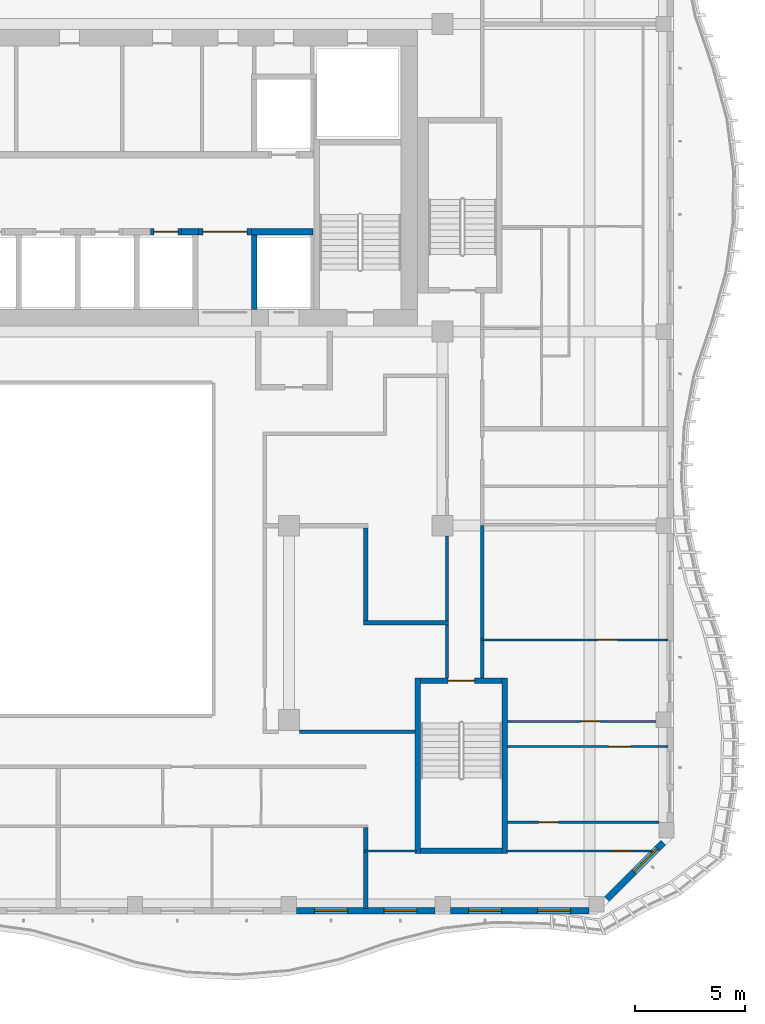
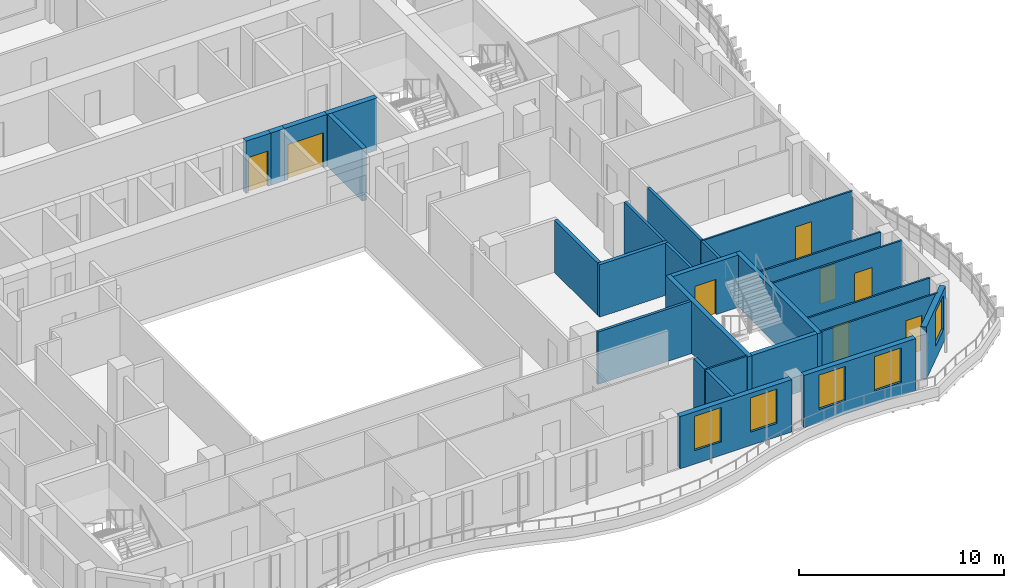
# One storey, part 5 of 19: 27 walls, 8 doors, 5 windows, 13 openings.
"""IFC4 building model written with IfcOpenShell, lengths in metres."""

from ifc_helpers import new_model, si_unit, direction, frame, frame_2d, origin, place, context, subcontext, project, spatial, rectangle, extrude, source, transform, mapped, material, layer, layer_set, type_object, element, fill, save


model = new_model("IFC4")

# Units and contexts
model_context = context("Model", 3, precision=1e-05, world=origin(), true_north=direction((0.0, 1.0)))
body_context = subcontext(model_context, "Body", "Model", "MODEL_VIEW")
ifc_project = project(units=[si_unit("LENGTHUNIT", "METRE"), si_unit("AREAUNIT", "SQUARE_METRE"), si_unit("VOLUMEUNIT", "CUBIC_METRE"), si_unit("PLANEANGLEUNIT", "RADIAN"), si_unit("MASSUNIT", "GRAM", prefix="KILO")], contexts=[model_context])

# Site, building, storey
site_placement = place(None, origin())
site = spatial("IfcSite", under=ifc_project, at=site_placement, CompositionType="ELEMENT")
building_placement = place(site_placement, origin())
building = spatial("IfcBuilding", under=site, at=building_placement, Name="Kilnfold Tower and Market Hall", CompositionType="ELEMENT")
storey_placement = place(building_placement, frame((0.0, 0.0, 252.60009765625)))
storey = spatial("IfcBuildingStorey", under=building, at=storey_placement, Name="L61", CompositionType="ELEMENT", Elevation=252.60009765625)

# Walls
ifc_material_1 = material(Name="Gypsum board on steel studs", Category="steel")
ifc_layer_1 = layer(ifc_material_1, 0.14990234375)
ifc_layer_set_1 = layer_set([ifc_layer_1], Name="Gypsum board on steel studs")
wall_type_1 = type_object("IfcWallType", Name="WALL CORRIDOR 150", PredefinedType="PARTITIONING", material=ifc_layer_set_1)
wall_1_placement = place(storey_placement, frame((20.800048828125, -7.75, 0.0), z_axis=(0.0, 0.0, 1.0), x_axis=(0.0, 1.0, 0.0)))
element("IfcWall", 1, at=wall_1_placement, inside=storey, type_object=wall_type_1, Name="Partition LY37.12", PredefinedType="PARTITIONING", context=body_context, shape_type="SweptSolid", body=[
    extrude(rectangle(XDim=1.68603515625, YDim=0.14990234375, at=frame_2d((0.843017578125, 0.0))), origin(), (0.0, 0.0, 1.0), 3.119873046875),
])
wall_2_placement = place(storey_placement, frame((20.800048828125, -5.98388671875, 0.0), z_axis=(0.0, 0.0, 1.0), x_axis=(0.0, 1.0, 0.0)))
element("IfcWall", 2, at=wall_2_placement, inside=storey, type_object=wall_type_1, Name="Partition LY37.13", PredefinedType="PARTITIONING", context=body_context, shape_type="SweptSolid", body=[
    extrude(rectangle(XDim=5.159912109375, YDim=0.14990234375, at=frame_2d((2.580078125, 0.0))), origin(), (0.0, 0.0, 1.0), 3.119873046875),
])
wall_3_placement = place(storey_placement, frame((19.199951171875, -7.75, 0.0), z_axis=(0.0, 0.0, 1.0), x_axis=(0.0, 1.0, 0.0)))
element("IfcWall", 3, at=wall_3_placement, inside=storey, type_object=wall_type_1, Name="Partition LY37.40", PredefinedType="PARTITIONING", context=body_context, shape_type="SweptSolid", body=[
    extrude(rectangle(XDim=2.409912109375, YDim=0.14990234375, at=frame_2d((1.205078125, 0.0))), origin(), (0.0, 0.0, 1.0), 3.119873046875),
])
wall_4_placement = place(storey_placement, frame((12.47509765625, -10.199951171875, 0.0), z_axis=(0.0, 0.0, 1.0), x_axis=(1.0, 0.0, 0.0)))
element("IfcWall", 4, at=wall_4_placement, inside=storey, type_object=wall_type_1, Name="Partition LY37.42", PredefinedType="PARTITIONING", context=body_context, shape_type="SweptSolid", body=[
    extrude(rectangle(XDim=5.27490234375, YDim=0.14990234375, at=frame_2d((2.637451171875, 0.0))), origin(), (0.0, 0.0, 1.0), 3.119873046875),
])
wall_5_placement = place(storey_placement, frame((19.199951171875, -5.159912109375, 0.0), z_axis=(0.0, 0.0, 1.0), x_axis=(0.0, 1.0, 0.0)))
element("IfcWall", 5, at=wall_5_placement, inside=storey, type_object=wall_type_1, Name="Partition LY37.44", PredefinedType="PARTITIONING", context=body_context, shape_type="SweptSolid", body=[
    extrude(rectangle(XDim=3.851806640625, YDim=0.14990234375, at=frame_2d((1.92578125, 0.0))), origin(), (0.0, 0.0, 1.0), 3.119873046875),
])

# Wall, opening, door
ifc_material_2 = material(Name="Gypsum board on steel studs", Category="steel")
ifc_layer_2 = layer(ifc_material_2, 0.10009765625)
ifc_layer_set_2 = layer_set([ifc_layer_2], Name="Gypsum board on steel studs")
wall_type_2 = type_object("IfcWallType", Name="WALL PARTITION 100", PredefinedType="PARTITIONING", material=ifc_layer_set_2)
wall_6_placement = place(storey_placement, frame((21.89990234375, -15.6298828125, 0.0), z_axis=(0.0, 0.0, 1.0), x_axis=(1.0, 0.0, 0.0)))
wall_6 = element("IfcWall", 6, at=wall_6_placement, inside=storey, type_object=wall_type_2, Name="Partition LY37.70", PredefinedType="PARTITIONING", context=body_context, shape_type="SweptSolid", body=[
    extrude(rectangle(XDim=6.6162109375, YDim=0.10009765625, at=frame_2d((3.30810546875, 0.0))), origin(), (0.0, 0.0, 1.0), 3.119873046875),
])
opening_1_placement = place(wall_6_placement, frame((4.81396484375, 0.0, 0.0)))
opening_1 = element("IfcOpeningElement", 7, at=opening_1_placement, cuts=wall_6, Name="Opening D2", PredefinedType="OPENING", context=body_context, shape_type="SweptSolid", body=[
    extrude(rectangle(XDim=0.89990234375, YDim=2.10009765625, at=frame_2d((0.449951171875, 1.050048828125))), frame((0.0, 0.06005859375, 0.0), z_axis=(0.0, -1.0, 0.0), x_axis=(1.0, 0.0, 0.0)), (0.0, 0.0, 1.0), 0.1201171875),
])
ifc_material_3 = material(Name="Timber veneer door leaf in steel frame", Category="steel")
door_type_1 = type_object("IfcDoorType", Name="DOOR ROOM 900 X2100", OperationType="NOTDEFINED", PredefinedType="DOOR", material=ifc_material_3)
door_1_placement = place(opening_1_placement, origin())
door_1 = element("IfcDoor", 8, at=door_1_placement, inside=storey, type_object=door_type_1, Name="Door D2", OperationType="SINGLE_SWING_LEFT", OverallHeight=2.10009765625, OverallWidth=0.89990234375, PredefinedType="DOOR", context=body_context, shape_type="SweptSolid", body=[
    extrude(rectangle(XDim=0.89990234375, YDim=2.10009765625, at=frame_2d((0.449951171875, 1.050048828125))), frame((0.0, 0.02490234375, 0.0), z_axis=(0.0, -1.0, 0.0), x_axis=(1.0, 0.0, 0.0)), (0.0, 0.0, 1.0), 0.050048828125),
])
fill(opening_1, door_1)

# Wall
wall_7_placement = place(storey_placement, frame((15.39990234375, -15.6298828125, 0.0), z_axis=(0.0, 0.0, 1.0), x_axis=(1.0, 0.0, 0.0)))
element("IfcWall", 9, at=wall_7_placement, inside=storey, type_object=wall_type_2, Name="Partition LY37.71", PredefinedType="PARTITIONING", context=body_context, shape_type="SweptSolid", body=[
    extrude(rectangle(XDim=2.400146484375, YDim=0.10009765625, at=frame_2d((1.2001953125, 0.0))), origin(), (0.0, 0.0, 1.0), 3.119873046875),
])

# Wall, opening, door
wall_8_placement = place(storey_placement, frame((28.83203125, -14.320068359375, 0.0), z_axis=(0.0, 0.0, 1.0), x_axis=(-1.0, 0.0, 0.0)))
wall_8 = element("IfcWall", 10, at=wall_8_placement, inside=storey, type_object=wall_type_2, Name="Partition LY37.72", PredefinedType="PARTITIONING", context=body_context, shape_type="SweptSolid", body=[
    extrude(rectangle(XDim=6.882080078125, YDim=0.10009765625, at=frame_2d((3.44091796875, 0.0))), origin(), (0.0, 0.0, 1.0), 3.119873046875),
])
opening_2_placement = place(wall_8_placement, frame((4.56396484375, 0.0, 0.0)))
opening_2 = element("IfcOpeningElement", 11, at=opening_2_placement, cuts=wall_8, Name="Opening D2", PredefinedType="OPENING", context=body_context, shape_type="SweptSolid", body=[
    extrude(rectangle(XDim=0.89990234375, YDim=2.10009765625, at=frame_2d((0.449951171875, 1.050048828125))), frame((0.0, 0.06005859375, 0.0), z_axis=(0.0, -1.0, 0.0), x_axis=(1.0, 0.0, 0.0)), (0.0, 0.0, 1.0), 0.1201171875),
])
door_2_placement = place(opening_2_placement, origin())
door_2 = element("IfcDoor", 12, at=door_2_placement, inside=storey, type_object=door_type_1, Name="Door D2", OperationType="SINGLE_SWING_LEFT", OverallHeight=2.10009765625, OverallWidth=0.89990234375, PredefinedType="DOOR", context=body_context, shape_type="SweptSolid", body=[
    extrude(rectangle(XDim=0.89990234375, YDim=2.10009765625, at=frame_2d((0.449951171875, 1.050048828125))), frame((0.0, 0.02490234375, 0.0), z_axis=(0.0, -1.0, 0.0), x_axis=(1.0, 0.0, 0.0)), (0.0, 0.0, 1.0), 0.050048828125),
])
fill(opening_2, door_2)

wall_9_placement = place(storey_placement, frame((29.25, -10.882080078125, 0.0), z_axis=(0.0, 0.0, 1.0), x_axis=(-1.0, 0.0, 0.0)))
wall_9 = element("IfcWall", 13, at=wall_9_placement, inside=storey, type_object=wall_type_2, Name="Partition LY37.73", PredefinedType="PARTITIONING", context=body_context, shape_type="SweptSolid", body=[
    extrude(rectangle(XDim=7.300048828125, YDim=0.10009765625, at=frame_2d((3.64990234375, 0.0))), origin(), (0.0, 0.0, 1.0), 3.119873046875),
])
opening_3_placement = place(wall_9_placement, frame((1.699951171875, 0.0, 0.0)))
opening_3 = element("IfcOpeningElement", 14, at=opening_3_placement, cuts=wall_9, Name="Opening D1", PredefinedType="OPENING", context=body_context, shape_type="SweptSolid", body=[
    extrude(rectangle(XDim=1.0, YDim=2.10009765625, at=frame_2d((0.5, 1.050048828125))), frame((0.0, 0.06005859375, 0.0), z_axis=(0.0, -1.0, 0.0), x_axis=(1.0, 0.0, 0.0)), (0.0, 0.0, 1.0), 0.1201171875),
])
ifc_material_4 = material(Name="Timber veneer door leaf in steel frame", Category="steel")
door_type_2 = type_object("IfcDoorType", Name="DOOR ENTRY 1000 X2100", OperationType="NOTDEFINED", PredefinedType="DOOR", material=ifc_material_4)
door_3_placement = place(opening_3_placement, origin())
door_3 = element("IfcDoor", 15, at=door_3_placement, inside=storey, type_object=door_type_2, Name="Door D1", OperationType="SINGLE_SWING_LEFT", OverallHeight=2.10009765625, OverallWidth=1.0, PredefinedType="DOOR", context=body_context, shape_type="SweptSolid", body=[
    extrude(rectangle(XDim=1.0, YDim=2.10009765625, at=frame_2d((0.5, 1.050048828125))), frame((0.0, 0.02490234375, 0.0), z_axis=(0.0, -1.0, 0.0), x_axis=(1.0, 0.0, 0.0)), (0.0, 0.0, 1.0), 0.050048828125),
])
fill(opening_3, door_3)

wall_10_placement = place(storey_placement, frame((28.699951171875, -9.735107421875, 0.0), z_axis=(0.0, 0.0, 1.0), x_axis=(-1.0, 0.0, 0.0)))
wall_10 = element("IfcWall", 16, at=wall_10_placement, inside=storey, type_object=wall_type_2, Name="Partition LY37.74", PredefinedType="PARTITIONING", context=body_context, shape_type="SweptSolid", body=[
    extrude(rectangle(XDim=6.75, YDim=0.10009765625, at=frame_2d((3.375, 0.0))), origin(), (0.0, 0.0, 1.0), 3.119873046875),
])
opening_4_placement = place(wall_10_placement, frame((2.52099609375, 0.0, 0.0)))
opening_4 = element("IfcOpeningElement", 17, at=opening_4_placement, cuts=wall_10, Name="Opening D2", PredefinedType="OPENING", context=body_context, shape_type="SweptSolid", body=[
    extrude(rectangle(XDim=0.89990234375, YDim=2.10009765625, at=frame_2d((0.449951171875, 1.050048828125))), frame((0.0, 0.06005859375, 0.0), z_axis=(0.0, -1.0, 0.0), x_axis=(1.0, 0.0, 0.0)), (0.0, 0.0, 1.0), 0.1201171875),
])
door_4_placement = place(opening_4_placement, origin())
door_4 = element("IfcDoor", 18, at=door_4_placement, inside=storey, type_object=door_type_1, Name="Door D2", OperationType="SINGLE_SWING_LEFT", OverallHeight=2.10009765625, OverallWidth=0.89990234375, PredefinedType="DOOR", context=body_context, shape_type="SweptSolid", body=[
    extrude(rectangle(XDim=0.89990234375, YDim=2.10009765625, at=frame_2d((0.449951171875, 1.050048828125))), frame((0.0, 0.02490234375, 0.0), z_axis=(0.0, -1.0, 0.0), x_axis=(1.0, 0.0, 0.0)), (0.0, 0.0, 1.0), 0.050048828125),
])
fill(opening_4, door_4)

wall_11_placement = place(storey_placement, frame((29.25, -6.02392578125, 0.0), z_axis=(0.0, 0.0, 1.0), x_axis=(-1.0, 0.0, 0.0)))
wall_11 = element("IfcWall", 19, at=wall_11_placement, inside=storey, type_object=wall_type_2, Name="Partition LY37.75", PredefinedType="PARTITIONING", context=body_context, shape_type="SweptSolid", body=[
    extrude(rectangle(XDim=8.52294921875, YDim=0.10009765625, at=frame_2d((4.261474609375, 0.0))), origin(), (0.0, 0.0, 1.0), 3.119873046875),
])
opening_5_placement = place(wall_11_placement, frame((2.306884765625, 0.0, 0.0)))
opening_5 = element("IfcOpeningElement", 20, at=opening_5_placement, cuts=wall_11, Name="Opening D2", PredefinedType="OPENING", context=body_context, shape_type="SweptSolid", body=[
    extrude(rectangle(XDim=0.89990234375, YDim=2.10009765625, at=frame_2d((0.449951171875, 1.050048828125))), frame((0.0, 0.06005859375, 0.0), z_axis=(0.0, -1.0, 0.0), x_axis=(1.0, 0.0, 0.0)), (0.0, 0.0, 1.0), 0.1201171875),
])
door_5_placement = place(opening_5_placement, origin())
door_5 = element("IfcDoor", 21, at=door_5_placement, inside=storey, type_object=door_type_1, Name="Door D2", OperationType="SINGLE_SWING_LEFT", OverallHeight=2.10009765625, OverallWidth=0.89990234375, PredefinedType="DOOR", context=body_context, shape_type="SweptSolid", body=[
    extrude(rectangle(XDim=0.89990234375, YDim=2.10009765625, at=frame_2d((0.449951171875, 1.050048828125))), frame((0.0, 0.02490234375, 0.0), z_axis=(0.0, -1.0, 0.0), x_axis=(1.0, 0.0, 0.0)), (0.0, 0.0, 1.0), 0.050048828125),
])
fill(opening_5, door_5)

# Walls
ifc_material_5 = material(Name="Gypsum board on steel studs", Category="steel")
ifc_layer_3 = layer(ifc_material_5, 0.199951171875)
ifc_layer_set_3 = layer_set([ifc_layer_3], Name="Gypsum board on steel studs")
wall_type_3 = type_object("IfcWallType", Name="WALL PARTY 200", PredefinedType="PARTITIONING", material=ifc_layer_set_3)
wall_12_placement = place(storey_placement, frame((15.5, -18.25, 0.0), z_axis=(0.0, 0.0, 1.0), x_axis=(0.0, 1.0, 0.0)))
element("IfcWall", 22, at=wall_12_placement, inside=storey, type_object=wall_type_3, Name="Partition LY37.68", PredefinedType="PARTITIONING", context=body_context, shape_type="SweptSolid", body=[
    extrude(rectangle(XDim=2.580078125, YDim=0.199951171875, at=frame_2d((1.2900390625, 0.0))), origin(), (0.0, 0.0, 1.0), 3.119873046875),
])
wall_13_placement = place(storey_placement, frame((15.5, -15.590087890625, 0.0), z_axis=(0.0, 0.0, 1.0), x_axis=(0.0, 1.0, 0.0)))
element("IfcWall", 23, at=wall_13_placement, inside=storey, type_object=wall_type_3, Name="Partition LY37.69", PredefinedType="PARTITIONING", context=body_context, shape_type="SweptSolid", body=[
    extrude(rectangle(XDim=1.0380859375, YDim=0.199951171875, at=frame_2d((0.51904296875, 0.0))), origin(), (0.0, 0.0, 1.0), 3.119873046875),
])
wall_14_placement = place(storey_placement, frame((15.5, -5.14990234375, 0.0), z_axis=(0.0, 0.0, 1.0), x_axis=(0.0, 1.0, 0.0)))
element("IfcWall", 24, at=wall_14_placement, inside=storey, type_object=wall_type_3, Name="Partition LY37.105", PredefinedType="PARTITIONING", context=body_context, shape_type="SweptSolid", body=[
    extrude(rectangle(XDim=4.216796875, YDim=0.199951171875, at=frame_2d((2.1083984375, 0.0))), origin(), (0.0, 0.0, 1.0), 3.119873046875),
])
wall_15_placement = place(storey_placement, frame((15.39990234375, -5.25, 0.0), z_axis=(0.0, 0.0, 1.0), x_axis=(1.0, 0.0, 0.0)))
element("IfcWall", 25, at=wall_15_placement, inside=storey, type_object=wall_type_3, Name="Partition LY37.106", PredefinedType="PARTITIONING", context=body_context, shape_type="SweptSolid", body=[
    extrude(rectangle(XDim=3.873046875, YDim=0.199951171875, at=frame_2d((1.9365234375, 0.0))), origin(), (0.0, 0.0, 1.0), 3.119873046875),
])
ifc_material_6 = material(Name="Concrete C60", Category="concrete")
ifc_layer_4 = layer(ifc_material_6, 0.25)
ifc_layer_set_4 = layer_set([ifc_layer_4], Name="Concrete C60")
wall_type_4 = type_object("IfcWallType", Name="CORE WALL 250 C60", PredefinedType="SHEAR", material=ifc_layer_set_4)
shared_shape_1 = source(origin(), body_context, "Body", "SweptSolid", [
    extrude(rectangle(XDim=3.699951171875, YDim=0.25, at=frame_2d((1.85009765625, 0.0))), origin(), (0.0, 0.0, 1.0), 3.119873046875),
])
wall_16_placement = place(storey_placement, frame((18.0, -15.625, 0.0), z_axis=(0.0, 0.0, 1.0), x_axis=(1.0, 0.0, 0.0)))
element("IfcWall", 26, at=wall_16_placement, inside=storey, type_object=wall_type_4, Name="Stair enclosure ST4", PredefinedType="SHEAR", context=body_context, shape_type="MappedRepresentation", body=[
    mapped(shared_shape_1, transform((0.0, 0.0, 0.0))),
])

# Wall, opening, door
wall_17_placement = place(storey_placement, frame((18.0, -7.875, 0.0), z_axis=(0.0, 0.0, 1.0), x_axis=(1.0, 0.0, 0.0)))
wall_17 = element("IfcWall", 27, at=wall_17_placement, inside=storey, type_object=wall_type_4, Name="Stair enclosure ST4", PredefinedType="SHEAR", context=body_context, shape_type="MappedRepresentation", body=[
    mapped(shared_shape_1, transform((0.0, 0.0, 0.0))),
])
opening_6_placement = place(wall_17_placement, frame((1.25, 0.0, 0.0)))
opening_6 = element("IfcOpeningElement", 28, at=opening_6_placement, cuts=wall_17, Name="Opening SD1", PredefinedType="OPENING", context=body_context, shape_type="SweptSolid", body=[
    extrude(rectangle(XDim=1.199951171875, YDim=2.10009765625, at=frame_2d((0.60009765625, 1.050048828125))), frame((0.0, 0.135009765625, 0.0), z_axis=(0.0, -1.0, 0.0), x_axis=(1.0, 0.0, 0.0)), (0.0, 0.0, 1.0), 0.27001953125),
])
ifc_material_7 = material(Name="Steel door set with fire-resisting leaf", Category="steel")
door_type_3 = type_object("IfcDoorType", Name="STAIR FLOOR DOOR 1200X2100", OperationType="NOTDEFINED", PredefinedType="DOOR", material=ifc_material_7)
door_6_placement = place(opening_6_placement, origin())
door_6 = element("IfcDoor", 29, at=door_6_placement, inside=storey, type_object=door_type_3, Name="Exit stair ST4 door", OperationType="DOUBLE_DOOR_SINGLE_SWING", OverallHeight=2.10009765625, OverallWidth=1.199951171875, PredefinedType="DOOR", context=body_context, shape_type="SweptSolid", body=[
    extrude(rectangle(XDim=1.199951171875, YDim=2.10009765625, at=frame_2d((0.60009765625, 1.050048828125))), frame((0.0, 0.02490234375, 0.0), z_axis=(0.0, -1.0, 0.0), x_axis=(1.0, 0.0, 0.0)), (0.0, 0.0, 1.0), 0.050048828125),
])
fill(opening_6, door_6)

# Walls
shared_shape_2 = source(origin(), body_context, "Body", "SweptSolid", [
    extrude(rectangle(XDim=8.0, YDim=0.25, at=frame_2d((4.0, 0.0))), origin(), (0.0, 0.0, 1.0), 3.119873046875),
])
for number, where, z_axis, x_axis, name in (
    (30, (17.875, -15.75, 0.0), (0.0, 0.0, 1.0), (0.0, 1.0, 0.0), "Stair enclosure ST4"),
    (31, (21.824951171875, -15.75, 0.0), (0.0, 0.0, 1.0), (0.0, 1.0, 0.0), "Stair enclosure ST4"),
):
    element("IfcWall", number, at=place(storey_placement, frame(where, z_axis=z_axis, x_axis=x_axis)), inside=storey, type_object=wall_type_4, Name=name, PredefinedType="SHEAR", context=body_context, shape_type="MappedRepresentation", body=[
        mapped(shared_shape_2, transform((0.0, 0.0, 0.0))),
    ])
ifc_material_8 = material(Name="Concrete C60", Category="concrete")
ifc_layer_5 = layer(ifc_material_8, 0.300048828125)
ifc_layer_set_5 = layer_set([ifc_layer_5], Name="Concrete C60")
wall_type_5 = type_object("IfcWallType", Name="CORE WALL 300 C60", PredefinedType="SHEAR", material=ifc_layer_set_5)
shared_shape_3 = source(origin(), body_context, "Body", "SweptSolid", [
    extrude(rectangle(XDim=0.77978515625, YDim=0.300048828125, at=frame_2d((0.389892578125, 0.0))), origin(), (0.0, 0.0, 1.0), 3.119873046875),
])
wall_18_placement = place(storey_placement, frame((7.110107421875, 12.550048828125, 0.0), z_axis=(0.0, 0.0, 1.0), x_axis=(1.0, 0.0, 0.0)))
element("IfcWall", 32, at=wall_18_placement, inside=storey, type_object=wall_type_5, Name="Core spine wall", PredefinedType="SHEAR", context=body_context, shape_type="MappedRepresentation", body=[
    mapped(shared_shape_3, transform((0.0, 0.0, 0.0))),
])
shared_shape_4 = source(origin(), body_context, "Body", "SweptSolid", [
    extrude(rectangle(XDim=2.820068359375, YDim=0.300048828125, at=frame_2d((1.41015625, 0.0))), origin(), (0.0, 0.0, 1.0), 3.119873046875),
])
wall_19_placement = place(storey_placement, frame((10.2900390625, 12.550048828125, 0.0), z_axis=(0.0, 0.0, 1.0), x_axis=(1.0, 0.0, 0.0)))
element("IfcWall", 33, at=wall_19_placement, inside=storey, type_object=wall_type_5, Name="Core spine wall", PredefinedType="SHEAR", context=body_context, shape_type="MappedRepresentation", body=[
    mapped(shared_shape_4, transform((0.0, 0.0, 0.0))),
])

# Wall, openings, windows
ifc_material_9 = material(Name="Precast concrete C50/60", Category="concrete")
ifc_layer_6 = layer(ifc_material_9, 0.300048828125)
ifc_layer_set_6 = layer_set([ifc_layer_6], Name="Precast concrete C50/60")
wall_type_6 = type_object("IfcWallType", Name="PRECAST WALL 300", PredefinedType="SOLIDWALL", material=ifc_layer_set_6)
shared_shape_5 = source(origin(), body_context, "Body", "SweptSolid", [
    extrude(rectangle(XDim=6.2998046875, YDim=0.300048828125, at=frame_2d((3.14990234375, 0.0))), origin(), (0.0, 0.0, 1.0), 3.119873046875),
])
wall_20_placement = place(storey_placement, frame((12.35009765625, -18.35009765625, 0.0), z_axis=(0.0, 0.0, 1.0), x_axis=(1.0, 0.0, 0.0)))
wall_20 = element("IfcWall", 34, at=wall_20_placement, inside=storey, type_object=wall_type_6, Name="External wall L61 S", PredefinedType="SOLIDWALL", context=body_context, shape_type="MappedRepresentation", body=[
    mapped(shared_shape_5, transform((0.0, 0.0, 0.0))),
])
opening_7_placement = place(wall_20_placement, frame((0.824951171875, 0.0, 0.800048828125)))
opening_7 = element("IfcOpeningElement", 35, at=opening_7_placement, cuts=wall_20, Name="Opening W5", PredefinedType="OPENING", context=body_context, shape_type="SweptSolid", body=[
    extrude(rectangle(XDim=1.5, YDim=2.050048828125, at=frame_2d((0.75, 1.02490234375))), frame((0.0, 0.16015625, 0.0), z_axis=(0.0, -1.0, 0.0), x_axis=(1.0, 0.0, 0.0)), (0.0, 0.0, 1.0), 0.320068359375),
])
opening_8_placement = place(wall_20_placement, frame((3.97509765625, 0.0, 0.800048828125)))
opening_8 = element("IfcOpeningElement", 36, at=opening_8_placement, cuts=wall_20, Name="Opening W5", PredefinedType="OPENING", context=body_context, shape_type="SweptSolid", body=[
    extrude(rectangle(XDim=1.5, YDim=2.050048828125, at=frame_2d((0.75, 1.02490234375))), frame((0.0, 0.16015625, 0.0), z_axis=(0.0, -1.0, 0.0), x_axis=(1.0, 0.0, 0.0)), (0.0, 0.0, 1.0), 0.320068359375),
])
ifc_material_10 = material(Name="Aluminium frame and double glazing", Category="aluminium")
window_type = type_object("IfcWindowType", Name="WINDOW W5 1500X2050", PartitioningType="SINGLE_PANEL", PredefinedType="WINDOW", material=ifc_material_10)
window_1_placement = place(opening_7_placement, origin())
window_1 = element("IfcWindow", 37, at=window_1_placement, inside=storey, type_object=window_type, Name="Window W5 L61 S-1", OverallHeight=2.050048828125, OverallWidth=1.5, PartitioningType="SINGLE_PANEL", PredefinedType="WINDOW", context=body_context, shape_type="SweptSolid", body=[
    extrude(rectangle(XDim=1.5, YDim=2.050048828125, at=frame_2d((0.75, 1.02490234375))), frame((0.0, 0.030029296875, 0.0), z_axis=(0.0, -1.0, 0.0), x_axis=(1.0, 0.0, 0.0)), (0.0, 0.0, 1.0), 0.06005859375),
])
fill(opening_7, window_1)
window_2_placement = place(opening_8_placement, origin())
window_2 = element("IfcWindow", 38, at=window_2_placement, inside=storey, type_object=window_type, Name="Window W5 L61 S-2", OverallHeight=2.050048828125, OverallWidth=1.5, PartitioningType="SINGLE_PANEL", PredefinedType="WINDOW", context=body_context, shape_type="SweptSolid", body=[
    extrude(rectangle(XDim=1.5, YDim=2.050048828125, at=frame_2d((0.75, 1.02490234375))), frame((0.0, 0.030029296875, 0.0), z_axis=(0.0, -1.0, 0.0), x_axis=(1.0, 0.0, 0.0)), (0.0, 0.0, 1.0), 0.06005859375),
])
fill(opening_8, window_2)

wall_21_placement = place(storey_placement, frame((19.35009765625, -18.35009765625, 0.0), z_axis=(0.0, 0.0, 1.0), x_axis=(1.0, 0.0, 0.0)))
wall_21 = element("IfcWall", 39, at=wall_21_placement, inside=storey, type_object=wall_type_6, Name="External wall L61 S", PredefinedType="SOLIDWALL", context=body_context, shape_type="MappedRepresentation", body=[
    mapped(shared_shape_5, transform((0.0, 0.0, 0.0))),
])
opening_9_placement = place(wall_21_placement, frame((0.824951171875, 0.0, 0.800048828125)))
opening_9 = element("IfcOpeningElement", 40, at=opening_9_placement, cuts=wall_21, Name="Opening W5", PredefinedType="OPENING", context=body_context, shape_type="SweptSolid", body=[
    extrude(rectangle(XDim=1.5, YDim=2.050048828125, at=frame_2d((0.75, 1.02490234375))), frame((0.0, 0.16015625, 0.0), z_axis=(0.0, -1.0, 0.0), x_axis=(1.0, 0.0, 0.0)), (0.0, 0.0, 1.0), 0.320068359375),
])
opening_10_placement = place(wall_21_placement, frame((3.97509765625, 0.0, 0.800048828125)))
opening_10 = element("IfcOpeningElement", 41, at=opening_10_placement, cuts=wall_21, Name="Opening W5", PredefinedType="OPENING", context=body_context, shape_type="SweptSolid", body=[
    extrude(rectangle(XDim=1.5, YDim=2.050048828125, at=frame_2d((0.75, 1.02490234375))), frame((0.0, 0.16015625, 0.0), z_axis=(0.0, -1.0, 0.0), x_axis=(1.0, 0.0, 0.0)), (0.0, 0.0, 1.0), 0.320068359375),
])
window_3_placement = place(opening_9_placement, origin())
window_3 = element("IfcWindow", 42, at=window_3_placement, inside=storey, type_object=window_type, Name="Window W5 L61 S-1", OverallHeight=2.050048828125, OverallWidth=1.5, PartitioningType="SINGLE_PANEL", PredefinedType="WINDOW", context=body_context, shape_type="SweptSolid", body=[
    extrude(rectangle(XDim=1.5, YDim=2.050048828125, at=frame_2d((0.75, 1.02490234375))), frame((0.0, 0.030029296875, 0.0), z_axis=(0.0, -1.0, 0.0), x_axis=(1.0, 0.0, 0.0)), (0.0, 0.0, 1.0), 0.06005859375),
])
fill(opening_9, window_3)
window_4_placement = place(opening_10_placement, origin())
window_4 = element("IfcWindow", 43, at=window_4_placement, inside=storey, type_object=window_type, Name="Window W5 L61 S-2", OverallHeight=2.050048828125, OverallWidth=1.5, PartitioningType="SINGLE_PANEL", PredefinedType="WINDOW", context=body_context, shape_type="SweptSolid", body=[
    extrude(rectangle(XDim=1.5, YDim=2.050048828125, at=frame_2d((0.75, 1.02490234375))), frame((0.0, 0.030029296875, 0.0), z_axis=(0.0, -1.0, 0.0), x_axis=(1.0, 0.0, 0.0)), (0.0, 0.0, 1.0), 0.06005859375),
])
fill(opening_10, window_4)

# Wall, opening, window
shared_shape_6 = source(origin(), body_context, "Body", "SweptSolid", [
    extrude(rectangle(XDim=3.6416015625, YDim=0.300048828125, at=frame_2d((1.82080078125, 0.0))), origin(), (0.0, 0.0, 1.0), 3.119873046875),
])
wall_22_placement = place(storey_placement, frame((26.468994140625, -17.81884765625, 0.0), z_axis=(0.0, 0.0, 1.0), x_axis=(0.707106781187, 0.707106781187, 0.0)))
wall_22 = element("IfcWall", 44, at=wall_22_placement, inside=storey, type_object=wall_type_6, Name="External wall L61 SE", PredefinedType="SOLIDWALL", context=body_context, shape_type="MappedRepresentation", body=[
    mapped(shared_shape_6, transform((0.0, 0.0, 0.0))),
])
opening_11_placement = place(wall_22_placement, frame((1.75, 0.0, 0.800048828125)))
opening_11 = element("IfcOpeningElement", 45, at=opening_11_placement, cuts=wall_22, Name="Opening W5", PredefinedType="OPENING", context=body_context, shape_type="SweptSolid", body=[
    extrude(rectangle(XDim=1.5, YDim=2.050048828125, at=frame_2d((0.75, 1.02490234375))), frame((0.0, 0.16015625, 0.0), z_axis=(0.0, -1.0, 0.0), x_axis=(1.0, 0.0, 0.0)), (0.0, 0.0, 1.0), 0.320068359375),
])
window_5_placement = place(opening_11_placement, origin())
window_5 = element("IfcWindow", 46, at=window_5_placement, inside=storey, type_object=window_type, Name="Window W5 L61 SE-1", OverallHeight=2.050048828125, OverallWidth=1.5, PartitioningType="SINGLE_PANEL", PredefinedType="WINDOW", context=body_context, shape_type="SweptSolid", body=[
    extrude(rectangle(XDim=1.5, YDim=2.050048828125, at=frame_2d((0.75, 1.02490234375))), frame((0.0, 0.030029296875, 0.0), z_axis=(0.0, -1.0, 0.0), x_axis=(1.0, 0.0, 0.0)), (0.0, 0.0, 1.0), 0.06005859375),
])
fill(opening_11, window_5)

# Wall, opening, door
ifc_material_11 = material(Name="Gypsum shaft wall system")
ifc_layer_7 = layer(ifc_material_11, 0.300048828125)
ifc_layer_set_7 = layer_set([ifc_layer_7], Name="Gypsum shaft wall system")
wall_type_7 = type_object("IfcWallType", Name="SHAFT WALL 300", PredefinedType="PARTITIONING", material=ifc_layer_set_7)
shared_shape_7 = source(origin(), body_context, "Body", "SweptSolid", [
    extrude(rectangle(XDim=1.400146484375, YDim=0.300048828125, at=frame_2d((0.7001953125, 0.0))), origin(), (0.0, 0.0, 1.0), 3.119873046875),
])
wall_23_placement = place(storey_placement, frame((5.7099609375, 12.550048828125, 0.0), z_axis=(0.0, 0.0, 1.0), x_axis=(1.0, 0.0, 0.0)))
wall_23 = element("IfcWall", 47, at=wall_23_placement, inside=storey, type_object=wall_type_7, Name="Lift shaft front wall", PredefinedType="PARTITIONING", context=body_context, shape_type="MappedRepresentation", body=[
    mapped(shared_shape_7, transform((0.0, 0.0, 0.0))),
])
opening_12_placement = place(wall_23_placement, frame((0.14990234375, 0.0, 0.0)))
opening_12 = element("IfcOpeningElement", 48, at=opening_12_placement, cuts=wall_23, Name="Opening LD2", PredefinedType="OPENING", context=body_context, shape_type="SweptSolid", body=[
    extrude(rectangle(XDim=1.10009765625, YDim=2.10009765625, at=frame_2d((0.550048828125, 1.050048828125))), frame((0.0, 0.16015625, 0.0), z_axis=(0.0, -1.0, 0.0), x_axis=(1.0, 0.0, 0.0)), (0.0, 0.0, 1.0), 0.320068359375),
])
ifc_material_12 = material(Name="Steel door set with fire-resisting leaf", Category="steel")
door_type_4 = type_object("IfcDoorType", Name="LANDING DOOR 1100X2100", OperationType="NOTDEFINED", PredefinedType="DOOR", material=ifc_material_12)
door_7_placement = place(opening_12_placement, origin())
door_7 = element("IfcDoor", 49, at=door_7_placement, inside=storey, type_object=door_type_4, Name="Landing door HR5", OperationType="DOUBLE_DOOR_SLIDING", OverallHeight=2.10009765625, OverallWidth=1.10009765625, PredefinedType="DOOR", context=body_context, shape_type="SweptSolid", body=[
    extrude(rectangle(XDim=1.10009765625, YDim=2.10009765625, at=frame_2d((0.550048828125, 1.050048828125))), frame((0.0, 0.02490234375, 0.0), z_axis=(0.0, -1.0, 0.0), x_axis=(1.0, 0.0, 0.0)), (0.0, 0.0, 1.0), 0.050048828125),
])
fill(opening_12, door_7)

shared_shape_8 = source(origin(), body_context, "Body", "SweptSolid", [
    extrude(rectangle(XDim=2.400146484375, YDim=0.300048828125, at=frame_2d((1.2001953125, 0.0))), origin(), (0.0, 0.0, 1.0), 3.119873046875),
])
wall_24_placement = place(storey_placement, frame((7.889892578125, 12.550048828125, 0.0), z_axis=(0.0, 0.0, 1.0), x_axis=(1.0, 0.0, 0.0)))
wall_24 = element("IfcWall", 50, at=wall_24_placement, inside=storey, type_object=wall_type_7, Name="Lift shaft front wall", PredefinedType="PARTITIONING", context=body_context, shape_type="MappedRepresentation", body=[
    mapped(shared_shape_8, transform((0.0, 0.0, 0.0))),
])
opening_13_placement = place(wall_24_placement, frame((0.199951171875, 0.0, 0.0)))
opening_13 = element("IfcOpeningElement", 51, at=opening_13_placement, cuts=wall_24, Name="Opening VD2", PredefinedType="OPENING", context=body_context, shape_type="SweptSolid", body=[
    extrude(rectangle(XDim=2.0, YDim=2.10009765625, at=frame_2d((1.0, 1.050048828125))), frame((0.0, 0.16015625, 0.0), z_axis=(0.0, -1.0, 0.0), x_axis=(1.0, 0.0, 0.0)), (0.0, 0.0, 1.0), 0.320068359375),
])
ifc_material_13 = material(Name="Steel door set with fire-resisting leaf", Category="steel")
door_type_5 = type_object("IfcDoorType", Name="LIFT LOBBY ENTRANCE DOOR 2000X2100", OperationType="NOTDEFINED", PredefinedType="DOOR", material=ifc_material_13)
door_8_placement = place(opening_13_placement, origin())
door_8 = element("IfcDoor", 52, at=door_8_placement, inside=storey, type_object=door_type_5, Name="Lift lobby entrance door", OperationType="DOUBLE_DOOR_SINGLE_SWING", OverallHeight=2.10009765625, OverallWidth=2.0, PredefinedType="DOOR", context=body_context, shape_type="SweptSolid", body=[
    extrude(rectangle(XDim=2.0, YDim=2.10009765625, at=frame_2d((1.0, 1.050048828125))), frame((0.0, 0.02490234375, 0.0), z_axis=(0.0, -1.0, 0.0), x_axis=(1.0, 0.0, 0.0)), (0.0, 0.0, 1.0), 0.050048828125),
])
fill(opening_13, door_8)

# Wall
ifc_material_14 = material(Name="Gypsum shaft wall system")
ifc_layer_8 = layer(ifc_material_14, 0.25)
ifc_layer_set_8 = layer_set([ifc_layer_8], Name="Gypsum shaft wall system")
wall_type_8 = type_object("IfcWallType", Name="SHAFT WALL 250", PredefinedType="PARTITIONING", material=ifc_layer_set_8)
shared_shape_9 = source(origin(), body_context, "Body", "SweptSolid", [
    extrude(rectangle(XDim=3.39990234375, YDim=0.25, at=frame_2d((1.699951171875, 0.0))), origin(), (0.0, 0.0, 1.0), 3.119873046875),
])
wall_25_placement = place(storey_placement, frame((10.429931640625, 9.0, 0.0), z_axis=(0.0, 0.0, 1.0), x_axis=(0.0, 1.0, 0.0)))
element("IfcWall", 53, at=wall_25_placement, inside=storey, type_object=wall_type_8, Name="Lift shaft wall", PredefinedType="PARTITIONING", context=body_context, shape_type="MappedRepresentation", body=[
    mapped(shared_shape_9, transform((0.0, 0.0, 0.0))),
])

save(model, "model.ifc")
